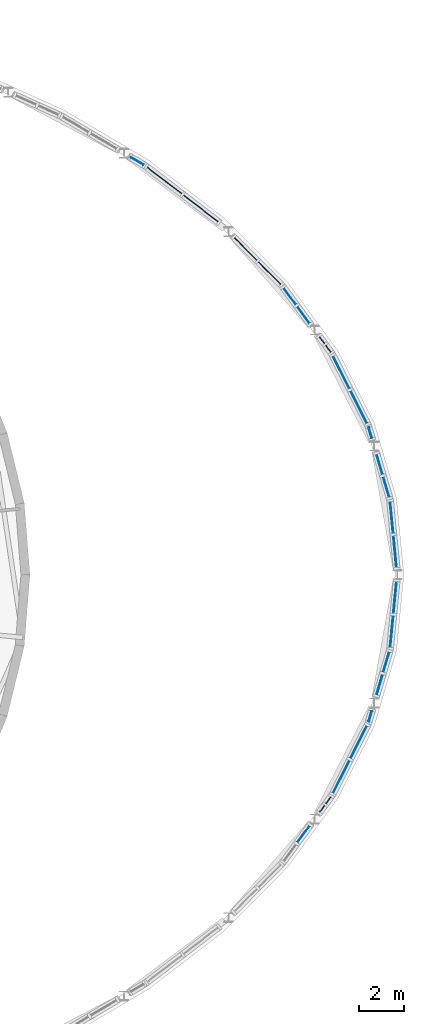
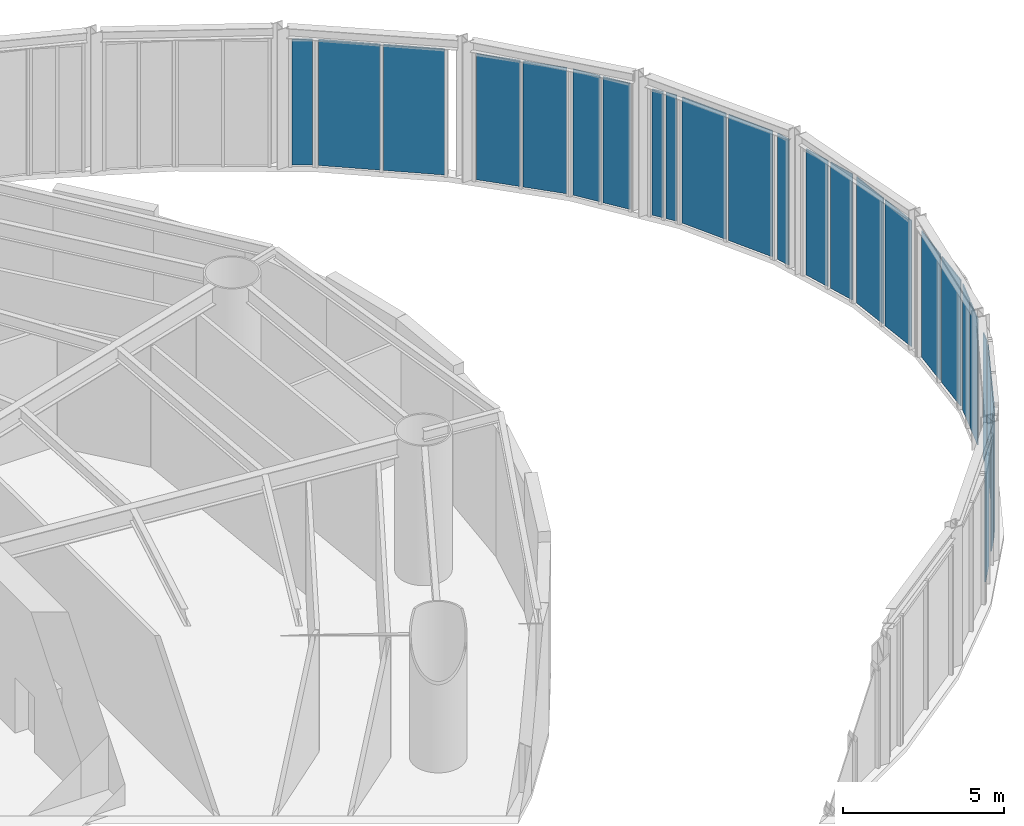
# One storey, part 13 of 19: 26 plates, 15 elements without a shape of their own.
"""IFC4 building model written with IfcOpenShell, lengths in metres."""

from ifc_helpers import new_model, si_unit, direction, frame, origin, origin_2d, place, context, subcontext, project, spatial, rectangle, extrude, material, layer, layer_set, type_object, element, aggregate, save


model = new_model("IFC4")

# Units and contexts
model_context = context("Model", 3, precision=1e-05, world=origin(), true_north=direction((0.0, 1.0)))
body_context = subcontext(model_context, "Body", "Model", "MODEL_VIEW")
ifc_project = project(units=[si_unit("LENGTHUNIT", "METRE"), si_unit("AREAUNIT", "SQUARE_METRE"), si_unit("VOLUMEUNIT", "CUBIC_METRE"), si_unit("PLANEANGLEUNIT", "RADIAN"), si_unit("MASSUNIT", "GRAM", prefix="KILO")], contexts=[model_context])

# Site, building, storey
site_placement = place(None, origin())
site = spatial("IfcSite", under=ifc_project, at=site_placement, CompositionType="ELEMENT")
building_placement = place(site_placement, origin())
building = spatial("IfcBuilding", under=site, at=building_placement, Name="Vermilion Reach Broadcast Tower", CompositionType="ELEMENT")
storey_placement = place(building_placement, frame((0.0, 0.0, 26.0)))
storey = spatial("IfcBuildingStorey", under=building, at=storey_placement, Name="L03", CompositionType="ELEMENT", Elevation=26.0)

# Curtain wall, plate
ifc_material_1 = material(Name="Low-e laminated clear glass in aluminium frame", Category="aluminium")
curtain_wall_type = type_object("IfcCurtainWallType", Name="Atrium outer wall curtain wall", PredefinedType="NOTDEFINED", material=ifc_material_1)
placement = place(storey_placement, origin())
curtain_wall_1 = element("IfcCurtainWall", 1, at=placement, inside=storey, type_object=curtain_wall_type, Name="Atrium wall L03 08-1", PredefinedType="NOTDEFINED")
ifc_material_2 = material(Name="Low-e laminated clear glass", Category="glass")
ifc_layer = layer(ifc_material_2, 0.035888671875)
ifc_layer_set = layer_set([ifc_layer], Name="Atrium outer wall glass panel")
plate_type = type_object("IfcPlateType", Name="Atrium outer wall glass panel", PredefinedType="CURTAIN_PANEL", material=ifc_layer_set)
plate_1_placement = place(storey_placement, frame((35.539794921875, -11.52294921875, 0.0), z_axis=(0.0, 0.0, 1.0), x_axis=(0.590759824697, 0.806847463604, 0.0)))
plate_1 = element("IfcPlate", 2, at=plate_1_placement, type_object=plate_type, Name="Atrium wall glass panel L03 08-1.2.1", PredefinedType="CURTAIN_PANEL", context=body_context, shape_type="SweptSolid", body=[
    extrude(rectangle(XDim=0.92578125, YDim=0.035888671875, at=origin_2d()), origin(), (0.0, 0.0, 1.0), 4.7900390625),
])
aggregate(curtain_wall_1, [plate_1])

# Curtain wall, plates
curtain_wall_2 = element("IfcCurtainWall", 3, at=placement, inside=storey, type_object=curtain_wall_type, Name="Atrium wall L03 08-2", PredefinedType="NOTDEFINED")
plate_2_placement = place(storey_placement, frame((36.36328125, -10.39794921875, 0.0), z_axis=(0.0, 0.0, 1.0), x_axis=(0.590759824697, 0.806847463604, 0.0)))
plate_2 = element("IfcPlate", 4, at=plate_2_placement, type_object=plate_type, Name="Atrium wall glass panel L03 08-2.1.1", PredefinedType="CURTAIN_PANEL", context=body_context, shape_type="SweptSolid", body=[
    extrude(rectangle(XDim=0.36669921875, YDim=0.035888671875, at=origin_2d()), origin(), (0.0, 0.0, 1.0), 4.7900390625),
])
plate_3_placement = place(storey_placement, frame((36.63916015625, -10.021240234375, 0.0), z_axis=(0.0, 0.0, 1.0), x_axis=(0.590759824697, 0.806847463604, 0.0)))
plate_3 = element("IfcPlate", 5, at=plate_3_placement, type_object=plate_type, Name="Atrium wall glass panel L03 08-2.2.1", PredefinedType="CURTAIN_PANEL", context=body_context, shape_type="SweptSolid", body=[
    extrude(rectangle(XDim=0.36669921875, YDim=0.035888671875, at=origin_2d()), origin(), (0.0, 0.0, 1.0), 4.7900390625),
])
aggregate(curtain_wall_2, [plate_2, plate_3])

curtain_wall_3 = element("IfcCurtainWall", 6, at=placement, inside=storey, type_object=curtain_wall_type, Name="Atrium wall L03 09", PredefinedType="NOTDEFINED")
plate_4_placement = place(storey_placement, frame((37.2177734375, -8.976806640625, 0.0), z_axis=(0.0, 0.0, 1.0), x_axis=(0.450071784356, 0.892992378986, 0.0)))
plate_4 = element("IfcPlate", 7, at=plate_4_placement, type_object=plate_type, Name="Atrium wall glass panel L03 09.1.1", PredefinedType="CURTAIN_PANEL", context=body_context, shape_type="SweptSolid", body=[
    extrude(rectangle(XDim=1.627197265625, YDim=0.035888671875, at=origin_2d()), origin(), (0.0, 0.0, 1.0), 4.7900390625),
])
plate_5_placement = place(storey_placement, frame((37.9951171875, -7.434326171875, 0.0), z_axis=(0.0, 0.0, 1.0), x_axis=(0.450071784356, 0.892992378986, 0.0)))
plate_5 = element("IfcPlate", 8, at=plate_5_placement, type_object=plate_type, Name="Atrium wall glass panel L03 09.2.1", PredefinedType="CURTAIN_PANEL", context=body_context, shape_type="SweptSolid", body=[
    extrude(rectangle(XDim=1.627197265625, YDim=0.035888671875, at=origin_2d()), origin(), (0.0, 0.0, 1.0), 4.7900390625),
])
aggregate(curtain_wall_3, [plate_4, plate_5])

# Curtain wall, plate
curtain_wall_4 = element("IfcCurtainWall", 9, at=placement, inside=storey, type_object=curtain_wall_type, Name="Atrium wall L03 10-1", PredefinedType="NOTDEFINED")
plate_6_placement = place(storey_placement, frame((38.5029296875, -6.291259765625, 0.0), z_axis=(0.0, 0.0, 1.0), x_axis=(0.283245086397, 0.959047559317, 0.0)))
plate_6 = element("IfcPlate", 10, at=plate_6_placement, type_object=plate_type, Name="Atrium wall glass panel L03 10-1.1.1", PredefinedType="CURTAIN_PANEL", context=body_context, shape_type="SweptSolid", body=[
    extrude(rectangle(XDim=0.48193359375, YDim=0.035888671875, at=origin_2d()), origin(), (0.0, 0.0, 1.0), 4.7900390625),
])
aggregate(curtain_wall_4, [plate_6])

# Curtain wall, plates
curtain_wall_5 = element("IfcCurtainWall", 11, at=placement, inside=storey, type_object=curtain_wall_type, Name="Atrium wall L03 10-2", PredefinedType="NOTDEFINED")
plate_7_placement = place(storey_placement, frame((38.917236328125, -4.88916015625, 0.0), z_axis=(0.0, 0.0, 1.0), x_axis=(0.283245086397, 0.959047559317, 0.0)))
plate_7 = element("IfcPlate", 12, at=plate_7_placement, type_object=plate_type, Name="Atrium wall glass panel L03 10-2.1.1", PredefinedType="CURTAIN_PANEL", context=body_context, shape_type="SweptSolid", body=[
    extrude(rectangle(XDim=0.9462890625, YDim=0.035888671875, at=origin_2d()), origin(), (0.0, 0.0, 1.0), 4.7900390625),
])
plate_8_placement = place(storey_placement, frame((39.21337890625, -3.8857421875, 0.0), z_axis=(0.0, 0.0, 1.0), x_axis=(0.283245086397, 0.959047559317, 0.0)))
plate_8 = element("IfcPlate", 13, at=plate_8_placement, type_object=plate_type, Name="Atrium wall glass panel L03 10-2.2.1", PredefinedType="CURTAIN_PANEL", context=body_context, shape_type="SweptSolid", body=[
    extrude(rectangle(XDim=0.9462890625, YDim=0.035888671875, at=origin_2d()), origin(), (0.0, 0.0, 1.0), 4.7900390625),
])
aggregate(curtain_wall_5, [plate_7, plate_8])

curtain_wall_6 = element("IfcCurtainWall", 14, at=placement, inside=storey, type_object=curtain_wall_type, Name="Atrium wall L03 11", PredefinedType="NOTDEFINED")
plate_9_placement = place(storey_placement, frame((39.4541015625, -2.530517578125, 0.0), z_axis=(0.0, 0.0, 1.0), x_axis=(0.096860665643, 0.995297951094, 0.0)))
plate_9 = element("IfcPlate", 15, at=plate_9_placement, type_object=plate_type, Name="Atrium wall glass panel L03 11.1.1", PredefinedType="CURTAIN_PANEL", context=body_context, shape_type="SweptSolid", body=[
    extrude(rectangle(XDim=1.4189453125, YDim=0.035888671875, at=origin_2d()), origin(), (0.0, 0.0, 1.0), 4.7900390625),
])
plate_10_placement = place(storey_placement, frame((39.601318359375, -1.0185546875, 0.0), z_axis=(0.0, 0.0, 1.0), x_axis=(0.096860665643, 0.995297951094, 0.0)))
plate_10 = element("IfcPlate", 16, at=plate_10_placement, type_object=plate_type, Name="Atrium wall glass panel L03 11.2.1", PredefinedType="CURTAIN_PANEL", context=body_context, shape_type="SweptSolid", body=[
    extrude(rectangle(XDim=1.4189453125, YDim=0.035888671875, at=origin_2d()), origin(), (0.0, 0.0, 1.0), 4.7900390625),
])
aggregate(curtain_wall_6, [plate_9, plate_10])

curtain_wall_7 = element("IfcCurtainWall", 17, at=placement, inside=storey, type_object=curtain_wall_type, Name="Atrium wall L03 12", PredefinedType="NOTDEFINED")
plate_11_placement = place(storey_placement, frame((39.601318359375, 1.0185546875, 0.0), z_axis=(0.0, 0.0, 1.0), x_axis=(-0.096860665643, 0.995297951094, 0.0)))
plate_11 = element("IfcPlate", 18, at=plate_11_placement, type_object=plate_type, Name="Atrium wall glass panel L03 12.1.1", PredefinedType="CURTAIN_PANEL", context=body_context, shape_type="SweptSolid", body=[
    extrude(rectangle(XDim=1.4189453125, YDim=0.035888671875, at=origin_2d()), origin(), (0.0, 0.0, 1.0), 4.7900390625),
])
plate_12_placement = place(storey_placement, frame((39.4541015625, 2.530517578125, 0.0), z_axis=(0.0, 0.0, 1.0), x_axis=(-0.096860665643, 0.995297951094, 0.0)))
plate_12 = element("IfcPlate", 19, at=plate_12_placement, type_object=plate_type, Name="Atrium wall glass panel L03 12.2.1", PredefinedType="CURTAIN_PANEL", context=body_context, shape_type="SweptSolid", body=[
    extrude(rectangle(XDim=1.4189453125, YDim=0.035888671875, at=origin_2d()), origin(), (0.0, 0.0, 1.0), 4.7900390625),
])
aggregate(curtain_wall_7, [plate_11, plate_12])

curtain_wall_8 = element("IfcCurtainWall", 20, at=placement, inside=storey, type_object=curtain_wall_type, Name="Atrium wall L03 13-1", PredefinedType="NOTDEFINED")
plate_13_placement = place(storey_placement, frame((39.21337890625, 3.8857421875, 0.0), z_axis=(0.0, 0.0, 1.0), x_axis=(-0.283245086397, 0.959047559317, 0.0)))
plate_13 = element("IfcPlate", 21, at=plate_13_placement, type_object=plate_type, Name="Atrium wall glass panel L03 13-1.1.1", PredefinedType="CURTAIN_PANEL", context=body_context, shape_type="SweptSolid", body=[
    extrude(rectangle(XDim=0.9462890625, YDim=0.035888671875, at=origin_2d()), origin(), (0.0, 0.0, 1.0), 4.7900390625),
])
plate_14_placement = place(storey_placement, frame((38.917236328125, 4.88916015625, 0.0), z_axis=(0.0, 0.0, 1.0), x_axis=(-0.283245086397, 0.959047559317, 0.0)))
plate_14 = element("IfcPlate", 22, at=plate_14_placement, type_object=plate_type, Name="Atrium wall glass panel L03 13-1.2.1", PredefinedType="CURTAIN_PANEL", context=body_context, shape_type="SweptSolid", body=[
    extrude(rectangle(XDim=0.9462890625, YDim=0.035888671875, at=origin_2d()), origin(), (0.0, 0.0, 1.0), 4.7900390625),
])
aggregate(curtain_wall_8, [plate_13, plate_14])

# Curtain wall, plate
curtain_wall_9 = element("IfcCurtainWall", 23, at=placement, inside=storey, type_object=curtain_wall_type, Name="Atrium wall L03 13-2", PredefinedType="NOTDEFINED")
plate_15_placement = place(storey_placement, frame((38.5029296875, 6.291259765625, 0.0), z_axis=(0.0, 0.0, 1.0), x_axis=(-0.283245086397, 0.959047559317, 0.0)))
plate_15 = element("IfcPlate", 24, at=plate_15_placement, type_object=plate_type, Name="Atrium wall glass panel L03 13-2.1.1", PredefinedType="CURTAIN_PANEL", context=body_context, shape_type="SweptSolid", body=[
    extrude(rectangle(XDim=0.48193359375, YDim=0.035888671875, at=origin_2d()), origin(), (0.0, 0.0, 1.0), 4.7900390625),
])
aggregate(curtain_wall_9, [plate_15])

# Curtain wall, plates
curtain_wall_10 = element("IfcCurtainWall", 25, at=placement, inside=storey, type_object=curtain_wall_type, Name="Atrium wall L03 14", PredefinedType="NOTDEFINED")
plate_16_placement = place(storey_placement, frame((37.9951171875, 7.434326171875, 0.0), z_axis=(0.0, 0.0, 1.0), x_axis=(-0.450071784356, 0.892992378986, 0.0)))
plate_16 = element("IfcPlate", 26, at=plate_16_placement, type_object=plate_type, Name="Atrium wall glass panel L03 14.1.1", PredefinedType="CURTAIN_PANEL", context=body_context, shape_type="SweptSolid", body=[
    extrude(rectangle(XDim=1.627197265625, YDim=0.035888671875, at=origin_2d()), origin(), (0.0, 0.0, 1.0), 4.7900390625),
])
plate_17_placement = place(storey_placement, frame((37.2177734375, 8.976806640625, 0.0), z_axis=(0.0, 0.0, 1.0), x_axis=(-0.450071784356, 0.892992378986, 0.0)))
plate_17 = element("IfcPlate", 27, at=plate_17_placement, type_object=plate_type, Name="Atrium wall glass panel L03 14.2.1", PredefinedType="CURTAIN_PANEL", context=body_context, shape_type="SweptSolid", body=[
    extrude(rectangle(XDim=1.627197265625, YDim=0.035888671875, at=origin_2d()), origin(), (0.0, 0.0, 1.0), 4.7900390625),
])
aggregate(curtain_wall_10, [plate_16, plate_17])

curtain_wall_11 = element("IfcCurtainWall", 28, at=placement, inside=storey, type_object=curtain_wall_type, Name="Atrium wall L03 15-1", PredefinedType="NOTDEFINED")
plate_18_placement = place(storey_placement, frame((36.63916015625, 10.021240234375, 0.0), z_axis=(0.0, 0.0, 1.0), x_axis=(-0.590759824697, 0.806847463604, 0.0)))
plate_18 = element("IfcPlate", 29, at=plate_18_placement, type_object=plate_type, Name="Atrium wall glass panel L03 15-1.1.1", PredefinedType="CURTAIN_PANEL", context=body_context, shape_type="SweptSolid", body=[
    extrude(rectangle(XDim=0.36669921875, YDim=0.035888671875, at=origin_2d()), origin(), (0.0, 0.0, 1.0), 4.7900390625),
])
plate_19_placement = place(storey_placement, frame((36.36328125, 10.39794921875, 0.0), z_axis=(0.0, 0.0, 1.0), x_axis=(-0.590759824697, 0.806847463604, 0.0)))
plate_19 = element("IfcPlate", 30, at=plate_19_placement, type_object=plate_type, Name="Atrium wall glass panel L03 15-1.2.1", PredefinedType="CURTAIN_PANEL", context=body_context, shape_type="SweptSolid", body=[
    extrude(rectangle(XDim=0.36669921875, YDim=0.035888671875, at=origin_2d()), origin(), (0.0, 0.0, 1.0), 4.7900390625),
])
aggregate(curtain_wall_11, [plate_18, plate_19])

curtain_wall_12 = element("IfcCurtainWall", 31, at=placement, inside=storey, type_object=curtain_wall_type, Name="Atrium wall L03 15-2", PredefinedType="NOTDEFINED")
plate_20_placement = place(storey_placement, frame((35.539794921875, 11.52294921875, 0.0), z_axis=(0.0, 0.0, 1.0), x_axis=(-0.590759824697, 0.806847463604, 0.0)))
plate_20 = element("IfcPlate", 32, at=plate_20_placement, type_object=plate_type, Name="Atrium wall glass panel L03 15-2.1.1", PredefinedType="CURTAIN_PANEL", context=body_context, shape_type="SweptSolid", body=[
    extrude(rectangle(XDim=0.92578125, YDim=0.035888671875, at=origin_2d()), origin(), (0.0, 0.0, 1.0), 4.7900390625),
])
plate_21_placement = place(storey_placement, frame((34.93359375, 12.3505859375, 0.0), z_axis=(0.0, 0.0, 1.0), x_axis=(-0.590759824697, 0.806847463604, 0.0)))
plate_21 = element("IfcPlate", 33, at=plate_21_placement, type_object=plate_type, Name="Atrium wall glass panel L03 15-2.2.1", PredefinedType="CURTAIN_PANEL", context=body_context, shape_type="SweptSolid", body=[
    extrude(rectangle(XDim=0.92578125, YDim=0.035888671875, at=origin_2d()), origin(), (0.0, 0.0, 1.0), 4.7900390625),
])
aggregate(curtain_wall_12, [plate_20, plate_21])

curtain_wall_13 = element("IfcCurtainWall", 34, at=placement, inside=storey, type_object=curtain_wall_type, Name="Atrium wall L03 16", PredefinedType="NOTDEFINED")
plate_22_placement = place(storey_placement, frame((34.034423828125, 13.3759765625, 0.0), z_axis=(0.0, 0.0, 1.0), x_axis=(-0.704276337997, 0.709925939614, 0.0)))
plate_22 = element("IfcPlate", 35, at=plate_22_placement, type_object=plate_type, Name="Atrium wall glass panel L03 16.1.1", PredefinedType="CURTAIN_PANEL", context=body_context, shape_type="SweptSolid", body=[
    extrude(rectangle(XDim=1.4091796875, YDim=0.035888671875, at=origin_2d()), origin(), (0.0, 0.0, 1.0), 4.7900390625),
])
plate_23_placement = place(storey_placement, frame((32.971435546875, 14.447509765625, 0.0), z_axis=(0.0, 0.0, 1.0), x_axis=(-0.704276337997, 0.709925939614, 0.0)))
plate_23 = element("IfcPlate", 36, at=plate_23_placement, type_object=plate_type, Name="Atrium wall glass panel L03 16.2.1", PredefinedType="CURTAIN_PANEL", context=body_context, shape_type="SweptSolid", body=[
    extrude(rectangle(XDim=1.4091796875, YDim=0.035888671875, at=origin_2d()), origin(), (0.0, 0.0, 1.0), 4.7900390625),
])
aggregate(curtain_wall_13, [plate_22, plate_23])

curtain_wall_14 = element("IfcCurtainWall", 37, at=placement, inside=storey, type_object=curtain_wall_type, Name="Atrium wall L03 17", PredefinedType="NOTDEFINED")
plate_24_placement = place(storey_placement, frame((30.981201171875, 16.2509765625, 0.0), z_axis=(0.0, 0.0, 1.0), x_axis=(-0.793082736826, 0.609113924113, 0.0)))
plate_24 = element("IfcPlate", 38, at=plate_24_placement, type_object=plate_type, Name="Atrium wall glass panel L03 17.1.1", PredefinedType="CURTAIN_PANEL", context=body_context, shape_type="SweptSolid", body=[
    extrude(rectangle(XDim=1.9296875, YDim=0.035888671875, at=origin_2d()), origin(), (0.0, 0.0, 1.0), 4.7900390625),
])
plate_25_placement = place(storey_placement, frame((29.37158203125, 17.4873046875, 0.0), z_axis=(0.0, 0.0, 1.0), x_axis=(-0.793082736826, 0.609113924113, 0.0)))
plate_25 = element("IfcPlate", 39, at=plate_25_placement, type_object=plate_type, Name="Atrium wall glass panel L03 17.2.1", PredefinedType="CURTAIN_PANEL", context=body_context, shape_type="SweptSolid", body=[
    extrude(rectangle(XDim=1.9296875, YDim=0.035888671875, at=origin_2d()), origin(), (0.0, 0.0, 1.0), 4.7900390625),
])
aggregate(curtain_wall_14, [plate_24, plate_25])

# Curtain wall, plate
curtain_wall_15 = element("IfcCurtainWall", 40, at=placement, inside=storey, type_object=curtain_wall_type, Name="Atrium wall L03 18-1", PredefinedType="NOTDEFINED")
plate_26_placement = place(storey_placement, frame((28.166748046875, 18.348876953125, 0.0), z_axis=(0.0, 0.0, 1.0), x_axis=(-0.861009057017, 0.508589622127, 0.0)))
plate_26 = element("IfcPlate", 41, at=plate_26_placement, type_object=plate_type, Name="Atrium wall glass panel L03 18-1.1.1", PredefinedType="CURTAIN_PANEL", context=body_context, shape_type="SweptSolid", body=[
    extrude(rectangle(XDim=0.636474609375, YDim=0.035888671875, at=origin_2d()), origin(), (0.0, 0.0, 1.0), 4.7900390625),
])
aggregate(curtain_wall_15, [plate_26])

save(model, "model.ifc")
